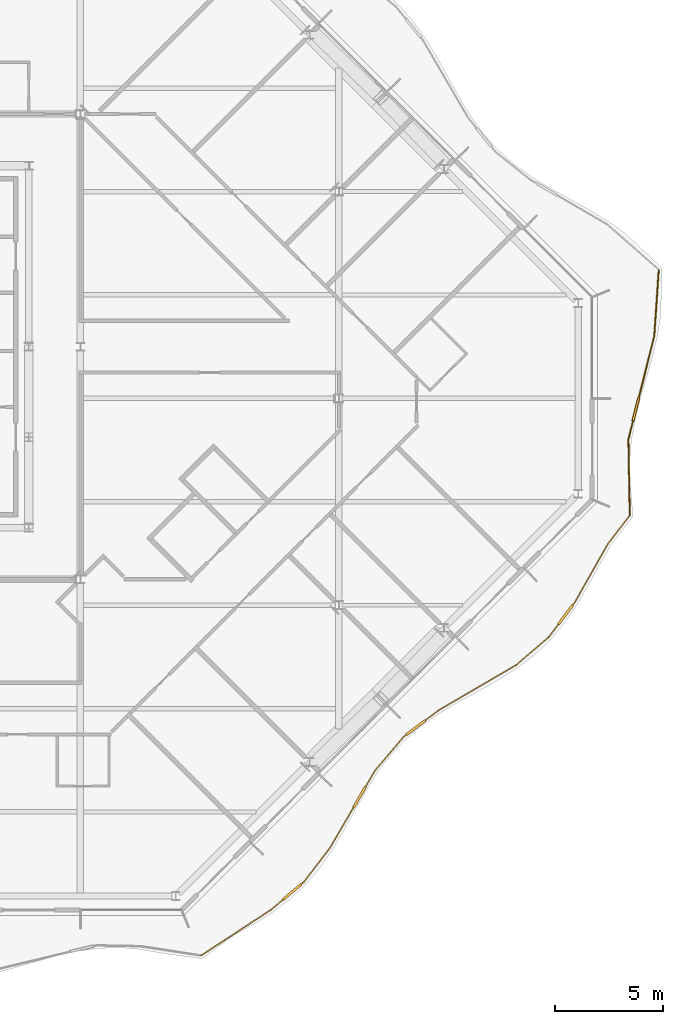
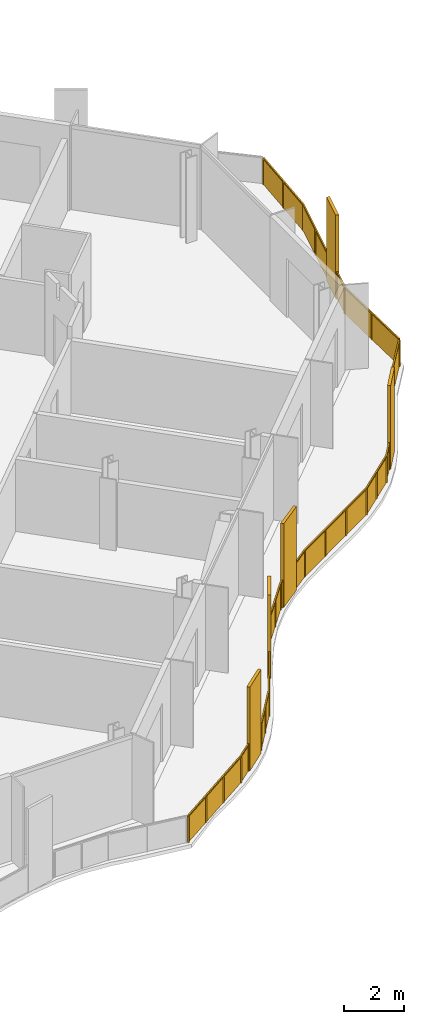
# One storey, part 15 of 17: 2 railings.
"""IFC4 building model written with IfcOpenShell, lengths in metres."""

from ifc_helpers import new_model, si_unit, direction, frame, origin, origin_2d, place, context, subcontext, project, spatial, polyline, rectangle, outline, extrude, material, type_object, element, save


model = new_model("IFC4")

# Units and contexts
model_context = context("Model", 3, precision=1e-05, world=origin(), true_north=direction((0.0, 1.0)))
body_context = subcontext(model_context, "Body", "Model", "MODEL_VIEW")
ifc_project = project(units=[si_unit("LENGTHUNIT", "METRE"), si_unit("AREAUNIT", "SQUARE_METRE"), si_unit("VOLUMEUNIT", "CUBIC_METRE"), si_unit("PLANEANGLEUNIT", "RADIAN"), si_unit("MASSUNIT", "GRAM", prefix="KILO")], contexts=[model_context])

# Site, building, storey
site_placement = place(None, origin())
site = spatial("IfcSite", under=ifc_project, at=site_placement, CompositionType="ELEMENT")
building_placement = place(site_placement, origin())
building = spatial("IfcBuilding", under=site, at=building_placement, Name="Cairn Pilgrim Tower", CompositionType="ELEMENT")
storey_placement = place(building_placement, frame((0.0, 0.0, 243.0)))
storey = spatial("IfcBuildingStorey", under=building, at=storey_placement, Name="L62", CompositionType="ELEMENT", Elevation=243.0)

# Railings
ifc_material = material(Name="Bronze anodised aluminium rail, posts and fin screens with laminated glass infill", Category="aluminium")
railing_type = type_object("IfcRailingType", Name="BALCONY GUARD WITH FIN SCREENS", PredefinedType="GUARDRAIL", material=ifc_material)
railing_1_placement = place(storey_placement, frame((24.802001953125, -25.861328125, 0.0)))
element("IfcRailing", 1, at=railing_1_placement, inside=storey, type_object=railing_type, Name="Balcony guard BGF-1 with fin screens", PredefinedType="GUARDRAIL", context=body_context, shape_type="SweptSolid", body=[
    extrude(rectangle(XDim=0.050048828125, YDim=0.050048828125, at=origin_2d()), frame((0.0, 0.0, 1.0751953125), z_axis=(0.836813982125, 0.5474873143, 0.0), x_axis=(-0.5474873143, 0.836813982125, 0.0)), (0.0, 0.0, 1.0), 3.869873046875),
    extrude(rectangle(XDim=1.10009765625, YDim=0.110107421875, at=origin_2d()), frame((4.22802734375, 2.951171875, 0.0), z_axis=(0.0, 0.0, 1.0), x_axis=(0.765241410495, 0.643743414462, 0.0)), (0.0, 0.0, 1.0), 3.39990234375),
    extrude(rectangle(XDim=0.050048828125, YDim=0.050048828125, at=origin_2d()), frame((3.23828125, 2.11865234375, 1.0751953125), z_axis=(0.765241410495, 0.643743414462, 0.0), x_axis=(-0.643743414462, 0.765241410495, 0.0)), (0.0, 0.0, 1.0), 0.7431640625),
    extrude(rectangle(XDim=0.050048828125, YDim=0.050048828125, at=origin_2d()), frame((4.648681640625, 3.30517578125, 1.0751953125), z_axis=(0.765241410495, 0.643743414462, 0.0), x_axis=(-0.643743414462, 0.765241410495, 0.0)), (0.0, 0.0, 1.0), 0.150146484375),
    extrude(rectangle(XDim=0.050048828125, YDim=0.050048828125, at=origin_2d()), frame((4.763671875, 3.40185546875, 1.0751953125), z_axis=(0.607151512151, 0.794586081739, 0.0), x_axis=(-0.794586081739, 0.607151512151, 0.0)), (0.0, 0.0, 1.0), 2.00341796875),
    extrude(rectangle(XDim=1.10009765625, YDim=0.110107421875, at=origin_2d()), frame((7.353515625, 7.350341796875, 0.0), z_axis=(0.0, 0.0, 1.0), x_axis=(0.503546529714, 0.863968108447, 0.0)), (0.0, 0.0, 1.0), 3.39990234375),
    extrude(rectangle(XDim=0.050048828125, YDim=0.050048828125, at=origin_2d()), frame((5.97998046875, 4.99365234375, 1.0751953125), z_axis=(0.503546529714, 0.863968108447, 0.0), x_axis=(-0.863968108447, 0.503546529714, 0.0)), (0.0, 0.0, 1.0), 2.177978515625),
    extrude(rectangle(XDim=0.050048828125, YDim=0.050048828125, at=origin_2d()), frame((7.630615234375, 7.82568359375, 1.0751953125), z_axis=(0.503546529714, 0.863968108447, 0.0), x_axis=(-0.863968108447, 0.503546529714, 0.0)), (0.0, 0.0, 1.0), 0.885986328125),
    extrude(rectangle(XDim=0.050048828125, YDim=0.050048828125, at=origin_2d()), frame((8.07666015625, 8.591064453125, 1.0751953125), z_axis=(0.64749613489, 0.762068733975, 0.0), x_axis=(-0.762068733975, 0.64749613489, 0.0)), (0.0, 0.0, 1.0), 2.0478515625),
    extrude(rectangle(XDim=1.10009765625, YDim=0.110107421875, at=origin_2d()), frame((9.960693359375, 10.57421875, 0.0), z_axis=(0.0, 0.0, 1.0), x_axis=(0.797183939846, 0.603736503825, 0.0)), (0.0, 0.0, 1.0), 3.39990234375),
    extrude(rectangle(XDim=0.050048828125, YDim=0.050048828125, at=origin_2d()), frame((9.402587890625, 10.151611328125, 1.0751953125), z_axis=(0.797183939846, 0.603736503825, 0.0), x_axis=(-0.603736503825, 0.797183939846, 0.0)), (0.0, 0.0, 1.0), 0.14990234375),
    extrude(rectangle(XDim=0.050048828125, YDim=0.050048828125, at=origin_2d()), frame((10.39892578125, 10.90625, 1.0751953125), z_axis=(0.797183939846, 0.603736503825, 0.0), x_axis=(-0.603736503825, 0.797183939846, 0.0)), (0.0, 0.0, 1.0), 0.805908203125),
    extrude(rectangle(XDim=0.050048828125, YDim=0.050048828125, at=origin_2d()), frame((11.04150390625, 11.392822265625, 1.0751953125), z_axis=(0.863712826562, 0.503984278755, 0.0), x_axis=(-0.503984278755, 0.863712826562, 0.0)), (0.0, 0.0, 1.0), 4.15478515625),
    extrude(rectangle(XDim=0.050048828125, YDim=0.050048828125, at=origin_2d()), frame((14.630126953125, 13.48681640625, 1.0751953125), z_axis=(0.75897903258, 0.651115065179, 0.0), x_axis=(-0.651115065179, 0.75897903258, 0.0)), (0.0, 0.0, 1.0), 1.9873046875),
    extrude(rectangle(XDim=1.10009765625, YDim=0.110107421875, at=origin_2d()), frame((16.922119140625, 15.824951171875, 0.0), z_axis=(0.0, 0.0, 1.0), x_axis=(0.600194771592, 0.799853884252, 0.0)), (0.0, 0.0, 1.0), 3.39990234375),
    extrude(rectangle(XDim=0.050048828125, YDim=0.050048828125, at=origin_2d()), frame((16.138427734375, 14.78076171875, 1.0751953125), z_axis=(0.600194771592, 0.799853884252, 0.0), x_axis=(-0.799853884252, 0.600194771592, 0.0)), (0.0, 0.0, 1.0), 0.755615234375),
    extrude(rectangle(XDim=0.050048828125, YDim=0.050048828125, at=origin_2d()), frame((17.252197265625, 16.264892578125, 1.0751953125), z_axis=(0.600194771592, 0.799853884252, 0.0), x_axis=(-0.799853884252, 0.600194771592, 0.0)), (0.0, 0.0, 1.0), 0.14990234375),
    extrude(rectangle(XDim=0.050048828125, YDim=0.050048828125, at=origin_2d()), frame((17.342041015625, 16.384765625, 1.0751953125), z_axis=(0.492617157518, 0.870246135366, 0.0), x_axis=(-0.870246135366, 0.492617157518, 0.0)), (0.0, 0.0, 1.0), 3.131591796875),
    extrude(rectangle(XDim=0.050048828125, YDim=0.050048828125, at=origin_2d()), frame((18.884765625, 19.110107421875, 1.0751953125), z_axis=(0.609997930091, 0.792403006863, 0.0), x_axis=(-0.792403006863, 0.609997930091, 0.0)), (0.0, 0.0, 1.0), 1.60205078125),
    extrude(rectangle(XDim=0.050048828125, YDim=0.050048828125, at=origin_2d()), origin(), (0.0, 0.0, 1.0), 1.050048828125),
    extrude(rectangle(XDim=0.050048828125, YDim=0.050048828125, at=origin_2d()), frame((1.079345703125, 0.706298828125, 0.0)), (0.0, 0.0, 1.0), 1.050048828125),
    extrude(rectangle(XDim=0.050048828125, YDim=0.050048828125, at=origin_2d()), frame((2.158935546875, 1.412353515625, 0.0)), (0.0, 0.0, 1.0), 1.050048828125),
    extrude(rectangle(XDim=0.050048828125, YDim=0.050048828125, at=origin_2d()), frame((3.23828125, 2.11865234375, 0.0)), (0.0, 0.0, 1.0), 1.050048828125),
    extrude(rectangle(XDim=0.050048828125, YDim=0.050048828125, at=origin_2d()), frame((3.787841796875, 2.5810546875, 0.0)), (0.0, 0.0, 1.0), 1.050048828125),
    extrude(rectangle(XDim=0.050048828125, YDim=0.050048828125, at=origin_2d()), frame((4.66796875, 3.3212890625, 0.0)), (0.0, 0.0, 1.0), 1.050048828125),
    extrude(rectangle(XDim=0.050048828125, YDim=0.050048828125, at=origin_2d()), frame((4.763671875, 3.40185546875, 0.0)), (0.0, 0.0, 1.0), 1.050048828125),
    extrude(rectangle(XDim=0.050048828125, YDim=0.050048828125, at=origin_2d()), frame((5.371826171875, 4.19775390625, 0.0)), (0.0, 0.0, 1.0), 1.050048828125),
    extrude(rectangle(XDim=0.050048828125, YDim=0.050048828125, at=origin_2d()), frame((5.97998046875, 4.99365234375, 0.0)), (0.0, 0.0, 1.0), 1.050048828125),
    extrude(rectangle(XDim=0.050048828125, YDim=0.050048828125, at=origin_2d()), frame((6.52197265625, 5.923583984375, 0.0)), (0.0, 0.0, 1.0), 1.050048828125),
    extrude(rectangle(XDim=0.050048828125, YDim=0.050048828125, at=origin_2d()), frame((7.06396484375, 6.853759765625, 0.0)), (0.0, 0.0, 1.0), 1.050048828125),
    extrude(rectangle(XDim=0.050048828125, YDim=0.050048828125, at=origin_2d()), frame((7.64306640625, 7.84716796875, 0.0)), (0.0, 0.0, 1.0), 1.050048828125),
    extrude(rectangle(XDim=0.050048828125, YDim=0.050048828125, at=origin_2d()), frame((8.07666015625, 8.591064453125, 0.0)), (0.0, 0.0, 1.0), 1.050048828125),
    extrude(rectangle(XDim=0.050048828125, YDim=0.050048828125, at=origin_2d()), frame((8.73974609375, 9.371337890625, 0.0)), (0.0, 0.0, 1.0), 1.050048828125),
    extrude(rectangle(XDim=0.050048828125, YDim=0.050048828125, at=origin_2d()), frame((9.402587890625, 10.151611328125, 0.0)), (0.0, 0.0, 1.0), 1.050048828125),
    extrude(rectangle(XDim=0.050048828125, YDim=0.050048828125, at=origin_2d()), frame((9.502197265625, 10.22705078125, 0.0)), (0.0, 0.0, 1.0), 1.050048828125),
    extrude(rectangle(XDim=0.050048828125, YDim=0.050048828125, at=origin_2d()), frame((10.4189453125, 10.92138671875, 0.0)), (0.0, 0.0, 1.0), 1.050048828125),
    extrude(rectangle(XDim=0.050048828125, YDim=0.050048828125, at=origin_2d()), frame((11.04150390625, 11.392822265625, 0.0)), (0.0, 0.0, 1.0), 1.050048828125),
    extrude(rectangle(XDim=0.050048828125, YDim=0.050048828125, at=origin_2d()), frame((12.23779296875, 12.0908203125, 0.0)), (0.0, 0.0, 1.0), 1.050048828125),
    extrude(rectangle(XDim=0.050048828125, YDim=0.050048828125, at=origin_2d()), frame((13.433837890625, 12.788818359375, 0.0)), (0.0, 0.0, 1.0), 1.050048828125),
    extrude(rectangle(XDim=0.050048828125, YDim=0.050048828125, at=origin_2d()), frame((14.630126953125, 13.48681640625, 0.0)), (0.0, 0.0, 1.0), 1.050048828125),
    extrude(rectangle(XDim=0.050048828125, YDim=0.050048828125, at=origin_2d()), frame((15.38427734375, 14.1337890625, 0.0)), (0.0, 0.0, 1.0), 1.050048828125),
    extrude(rectangle(XDim=0.050048828125, YDim=0.050048828125, at=origin_2d()), frame((16.138427734375, 14.78076171875, 0.0)), (0.0, 0.0, 1.0), 1.050048828125),
    extrude(rectangle(XDim=0.050048828125, YDim=0.050048828125, at=origin_2d()), frame((16.576904296875, 15.364990234375, 0.0)), (0.0, 0.0, 1.0), 1.050048828125),
    extrude(rectangle(XDim=0.050048828125, YDim=0.050048828125, at=origin_2d()), frame((17.26708984375, 16.284912109375, 0.0)), (0.0, 0.0, 1.0), 1.050048828125),
    extrude(rectangle(XDim=0.050048828125, YDim=0.050048828125, at=origin_2d()), frame((17.342041015625, 16.384765625, 0.0)), (0.0, 0.0, 1.0), 1.050048828125),
    extrude(rectangle(XDim=0.050048828125, YDim=0.050048828125, at=origin_2d()), frame((18.11328125, 17.74755859375, 0.0)), (0.0, 0.0, 1.0), 1.050048828125),
    extrude(rectangle(XDim=0.050048828125, YDim=0.050048828125, at=origin_2d()), frame((18.884765625, 19.110107421875, 0.0)), (0.0, 0.0, 1.0), 1.050048828125),
    extrude(rectangle(XDim=0.050048828125, YDim=0.050048828125, at=origin_2d()), frame((19.862060546875, 20.379638671875, 0.0)), (0.0, 0.0, 1.0), 1.050048828125),
    extrude(outline(polyline([(0.02490234375, 0.0), (1.264892578125, 0.0), (1.264892578125, 1.050048828125), (0.02490234375, 1.050048828125), (0.02490234375, 0.0)])), frame((-0.003173828125, 0.005126953125, 0.0), z_axis=(0.5474873143, -0.836813982125, 0.0), x_axis=(0.836813982125, 0.5474873143, 0.0)), (0.0, 0.0, 1.0), 0.011962890625),
    extrude(outline(polyline([(0.02490234375, 0.0), (1.264892578125, 0.0), (1.264892578125, 1.050048828125), (0.02490234375, 1.050048828125), (0.02490234375, 0.0)])), frame((1.076171875, 0.711181640625, 0.0), z_axis=(0.5474873143, -0.836813982125, 0.0), x_axis=(0.836813982125, 0.5474873143, 0.0)), (0.0, 0.0, 1.0), 0.011962890625),
    extrude(outline(polyline([(0.02490234375, 0.0), (1.264892578125, 0.0), (1.264892578125, 1.050048828125), (0.02490234375, 1.050048828125), (0.02490234375, 0.0)])), frame((2.155517578125, 1.41748046875, 0.0), z_axis=(0.5474873143, -0.836813982125, 0.0), x_axis=(0.836813982125, 0.5474873143, 0.0)), (0.0, 0.0, 1.0), 0.011962890625),
    extrude(outline(polyline([(0.02490234375, 0.0), (0.693115234375, 0.0), (0.693115234375, 1.050048828125), (0.02490234375, 1.050048828125), (0.02490234375, 0.0)])), frame((3.234375, 2.123291015625, 0.0), z_axis=(0.643743414462, -0.765241410495, 0.0), x_axis=(0.765241410495, 0.643743414462, 0.0)), (0.0, 0.0, 1.0), 0.011962890625),
    extrude(outline(polyline([(0.02490234375, 0.0), (0.10009765625, 0.0), (0.10009765625, 1.050048828125), (0.02490234375, 1.050048828125), (0.02490234375, 0.0)])), frame((4.6640625, 3.325927734375, 0.0), z_axis=(0.643743414462, -0.765241410495, 0.0), x_axis=(0.765241410495, 0.643743414462, 0.0)), (0.0, 0.0, 1.0), 0.011962890625),
    extrude(outline(polyline([(0.02490234375, 0.0), (0.9765625, 0.0), (0.9765625, 1.050048828125), (0.02490234375, 1.050048828125), (0.02490234375, 0.0)])), frame((4.759033203125, 3.405517578125, 0.0), z_axis=(0.794586081739, -0.607151512151, 0.0), x_axis=(0.607151512151, 0.794586081739, 0.0)), (0.0, 0.0, 1.0), 0.011962890625),
    extrude(outline(polyline([(0.02490234375, 0.0), (0.9765625, 0.0), (0.9765625, 1.050048828125), (0.02490234375, 1.050048828125), (0.02490234375, 0.0)])), frame((5.3671875, 4.201416015625, 0.0), z_axis=(0.794586081739, -0.607151512151, 0.0), x_axis=(0.607151512151, 0.794586081739, 0.0)), (0.0, 0.0, 1.0), 0.011962890625),
    extrude(outline(polyline([(0.02490234375, 0.0), (1.051513671875, 0.0), (1.051513671875, 1.050048828125), (0.02490234375, 1.050048828125), (0.02490234375, 0.0)])), frame((5.974853515625, 4.99658203125, 0.0), z_axis=(0.863968108447, -0.503546529714, 0.0), x_axis=(0.503546529714, 0.863968108447, 0.0)), (0.0, 0.0, 1.0), 0.011962890625),
    extrude(outline(polyline([(0.02490234375, 0.0), (1.051513671875, 0.0), (1.051513671875, 1.050048828125), (0.02490234375, 1.050048828125), (0.02490234375, 0.0)])), frame((6.516845703125, 5.9267578125, 0.0), z_axis=(0.863968108447, -0.503546529714, 0.0), x_axis=(0.503546529714, 0.863968108447, 0.0)), (0.0, 0.0, 1.0), 0.011962890625),
    extrude(outline(polyline([(0.02490234375, 0.0), (0.8359375, 0.0), (0.8359375, 1.050048828125), (0.02490234375, 1.050048828125), (0.02490234375, 0.0)])), frame((7.637939453125, 7.850341796875, 0.0), z_axis=(0.863968108447, -0.503546529714, 0.0), x_axis=(0.503546529714, 0.863968108447, 0.0)), (0.0, 0.0, 1.0), 0.011962890625),
    extrude(outline(polyline([(0.02490234375, 0.0), (0.998779296875, 0.0), (0.998779296875, 1.050048828125), (0.02490234375, 1.050048828125), (0.02490234375, 0.0)])), frame((8.072021484375, 8.594970703125, 0.0), z_axis=(0.762068733975, -0.64749613489, 0.0), x_axis=(0.64749613489, 0.762068733975, 0.0)), (0.0, 0.0, 1.0), 0.011962890625),
    extrude(outline(polyline([(0.02490234375, 0.0), (0.998779296875, 0.0), (0.998779296875, 1.050048828125), (0.02490234375, 1.050048828125), (0.02490234375, 0.0)])), frame((8.735107421875, 9.375244140625, 0.0), z_axis=(0.762068733975, -0.64749613489, 0.0), x_axis=(0.64749613489, 0.762068733975, 0.0)), (0.0, 0.0, 1.0), 0.011962890625),
    extrude(outline(polyline([(0.02490234375, 0.0), (0.099853515625, 0.0), (0.099853515625, 1.050048828125), (0.02490234375, 1.050048828125), (0.02490234375, 0.0)])), frame((9.39892578125, 10.156494140625, 0.0), z_axis=(0.603736503825, -0.797183939846, 0.0), x_axis=(0.797183939846, 0.603736503825, 0.0)), (0.0, 0.0, 1.0), 0.011962890625),
    extrude(outline(polyline([(0.02490234375, 0.0), (0.755859375, 0.0), (0.755859375, 1.050048828125), (0.02490234375, 1.050048828125), (0.02490234375, 0.0)])), frame((10.415283203125, 10.926025390625, 0.0), z_axis=(0.603736503825, -0.797183939846, 0.0), x_axis=(0.797183939846, 0.603736503825, 0.0)), (0.0, 0.0, 1.0), 0.011962890625),
    extrude(outline(polyline([(0.02490234375, 0.0), (1.35986328125, 0.0), (1.35986328125, 1.050048828125), (0.02490234375, 1.050048828125), (0.02490234375, 0.0)])), frame((11.03857421875, 11.39794921875, 0.0), z_axis=(0.503984278755, -0.863712826562, 0.0), x_axis=(0.863712826562, 0.503984278755, 0.0)), (0.0, 0.0, 1.0), 0.011962890625),
    extrude(outline(polyline([(0.02490234375, 0.0), (1.35986328125, 0.0), (1.35986328125, 1.050048828125), (0.02490234375, 1.050048828125), (0.02490234375, 0.0)])), frame((12.234619140625, 12.095947265625, 0.0), z_axis=(0.503984278755, -0.863712826562, 0.0), x_axis=(0.863712826562, 0.503984278755, 0.0)), (0.0, 0.0, 1.0), 0.011962890625),
    extrude(outline(polyline([(0.02490234375, 0.0), (1.35986328125, 0.0), (1.35986328125, 1.050048828125), (0.02490234375, 1.050048828125), (0.02490234375, 0.0)])), frame((13.430908203125, 12.7939453125, 0.0), z_axis=(0.503984278755, -0.863712826562, 0.0), x_axis=(0.863712826562, 0.503984278755, 0.0)), (0.0, 0.0, 1.0), 0.011962890625),
    extrude(outline(polyline([(0.02490234375, 0.0), (0.968505859375, 0.0), (0.968505859375, 1.050048828125), (0.02490234375, 1.050048828125), (0.02490234375, 0.0)])), frame((14.626220703125, 13.491455078125, 0.0), z_axis=(0.651115065179, -0.75897903258, 0.0), x_axis=(0.75897903258, 0.651115065179, 0.0)), (0.0, 0.0, 1.0), 0.011962890625),
    extrude(outline(polyline([(0.02490234375, 0.0), (0.968505859375, 0.0), (0.968505859375, 1.050048828125), (0.02490234375, 1.050048828125), (0.02490234375, 0.0)])), frame((15.38037109375, 14.138427734375, 0.0), z_axis=(0.651115065179, -0.75897903258, 0.0), x_axis=(0.75897903258, 0.651115065179, 0.0)), (0.0, 0.0, 1.0), 0.011962890625),
    extrude(outline(polyline([(0.02490234375, 0.0), (0.70556640625, 0.0), (0.70556640625, 1.050048828125), (0.02490234375, 1.050048828125), (0.02490234375, 0.0)])), frame((16.133544921875, 14.784423828125, 0.0), z_axis=(0.799853884252, -0.600194771592, 0.0), x_axis=(0.600194771592, 0.799853884252, 0.0)), (0.0, 0.0, 1.0), 0.011962890625),
    extrude(outline(polyline([(0.02490234375, 0.0), (0.099853515625, 0.0), (0.099853515625, 1.050048828125), (0.02490234375, 1.050048828125), (0.02490234375, 0.0)])), frame((17.262451171875, 16.28857421875, 0.0), z_axis=(0.799853884252, -0.600194771592, 0.0), x_axis=(0.600194771592, 0.799853884252, 0.0)), (0.0, 0.0, 1.0), 0.011962890625),
    extrude(outline(polyline([(0.02490234375, 0.0), (1.540771484375, 0.0), (1.540771484375, 1.050048828125), (0.02490234375, 1.050048828125), (0.02490234375, 0.0)])), frame((17.3369140625, 16.3876953125, 0.0), z_axis=(0.870246135366, -0.492617157518, 0.0), x_axis=(0.492617157518, 0.870246135366, 0.0)), (0.0, 0.0, 1.0), 0.011962890625),
    extrude(outline(polyline([(0.02490234375, 0.0), (1.540771484375, 0.0), (1.540771484375, 1.050048828125), (0.02490234375, 1.050048828125), (0.02490234375, 0.0)])), frame((18.108154296875, 17.75048828125, 0.0), z_axis=(0.870246135366, -0.492617157518, 0.0), x_axis=(0.492617157518, 0.870246135366, 0.0)), (0.0, 0.0, 1.0), 0.011962890625),
    extrude(outline(polyline([(0.02490234375, 0.0), (1.5771484375, 0.0), (1.5771484375, 1.050048828125), (0.02490234375, 1.050048828125), (0.02490234375, 0.0)])), frame((18.880126953125, 19.11376953125, 0.0), z_axis=(0.792403006863, -0.609997930091, 0.0), x_axis=(0.609997930091, 0.792403006863, 0.0)), (0.0, 0.0, 1.0), 0.011962890625),
])
railing_2_placement = place(storey_placement, frame((44.700439453125, -5.434326171875, 0.0)))
element("IfcRailing", 2, at=railing_2_placement, inside=storey, type_object=railing_type, Name="Balcony guard BGF-2 with fin screens", PredefinedType="GUARDRAIL", context=body_context, shape_type="SweptSolid", body=[
    extrude(rectangle(XDim=0.050048828125, YDim=0.050048828125, at=origin_2d()), frame((0.0, 0.0, 1.0751953125), z_axis=(-0.01831700939, 0.99983222951, 0.0), x_axis=(-0.99983222951, -0.01831700939, 0.0)), (0.0, 0.0, 1.0), 3.531982421875),
    extrude(rectangle(XDim=1.10009765625, YDim=0.110107421875, at=origin_2d()), frame((0.283935546875, 4.92529296875, 0.0), z_axis=(0.0, 0.0, 1.0), x_axis=(0.24274432702, 0.970090300796, 0.0)), (0.0, 0.0, 1.0), 3.39990234375),
    extrude(rectangle(XDim=0.050048828125, YDim=0.050048828125, at=origin_2d()), frame((-0.064697265625, 3.531494140625, 1.0751953125), z_axis=(0.24274432702, 0.970090300796, 0.0), x_axis=(-0.970090300796, 0.24274432702, 0.0)), (0.0, 0.0, 1.0), 0.88671875),
    extrude(rectangle(XDim=0.050048828125, YDim=0.050048828125, at=origin_2d()), frame((0.41748046875, 5.458740234375, 1.0751953125), z_axis=(0.24274432702, 0.970090300796, 0.0), x_axis=(-0.970090300796, 0.24274432702, 0.0)), (0.0, 0.0, 1.0), 2.967529296875),
    extrude(rectangle(XDim=0.050048828125, YDim=0.050048828125, at=origin_2d()), frame((1.137939453125, 8.337646484375, 1.0751953125), z_axis=(0.067124817919, 0.997744585963, 0.0), x_axis=(-0.997744585963, 0.067124817919, 0.0)), (0.0, 0.0, 1.0), 3.0224609375),
    extrude(rectangle(XDim=0.050048828125, YDim=0.050048828125, at=origin_2d()), origin(), (0.0, 0.0, 1.0), 1.050048828125),
    extrude(rectangle(XDim=0.050048828125, YDim=0.050048828125, at=origin_2d()), frame((-0.0322265625, 1.765625, 0.0)), (0.0, 0.0, 1.0), 1.050048828125),
    extrude(rectangle(XDim=0.050048828125, YDim=0.050048828125, at=origin_2d()), frame((-0.064697265625, 3.531494140625, 0.0)), (0.0, 0.0, 1.0), 1.050048828125),
    extrude(rectangle(XDim=0.050048828125, YDim=0.050048828125, at=origin_2d()), frame((0.14453125, 4.367431640625, 0.0)), (0.0, 0.0, 1.0), 1.050048828125),
    extrude(rectangle(XDim=0.050048828125, YDim=0.050048828125, at=origin_2d()), frame((0.423583984375, 5.483154296875, 0.0)), (0.0, 0.0, 1.0), 1.050048828125),
    extrude(rectangle(XDim=0.050048828125, YDim=0.050048828125, at=origin_2d()), frame((0.78076171875, 6.910400390625, 0.0)), (0.0, 0.0, 1.0), 1.050048828125),
    extrude(rectangle(XDim=0.050048828125, YDim=0.050048828125, at=origin_2d()), frame((1.137939453125, 8.337646484375, 0.0)), (0.0, 0.0, 1.0), 1.050048828125),
    extrude(rectangle(XDim=0.050048828125, YDim=0.050048828125, at=origin_2d()), frame((1.2392578125, 9.845458984375, 0.0)), (0.0, 0.0, 1.0), 1.050048828125),
    extrude(rectangle(XDim=0.050048828125, YDim=0.050048828125, at=origin_2d()), frame((1.3408203125, 11.353271484375, 0.0)), (0.0, 0.0, 1.0), 1.050048828125),
    extrude(outline(polyline([(0.02490234375, 0.0), (1.740966796875, 0.0), (1.740966796875, 1.050048828125), (0.02490234375, 1.050048828125), (0.02490234375, 0.0)])), frame((-0.005859375, 0.0, 0.0), z_axis=(0.99983222951, 0.01831700939, 0.0), x_axis=(-0.01831700939, 0.99983222951, 0.0)), (0.0, 0.0, 1.0), 0.011962890625),
    extrude(outline(polyline([(0.02490234375, 0.0), (1.740966796875, 0.0), (1.740966796875, 1.050048828125), (0.02490234375, 1.050048828125), (0.02490234375, 0.0)])), frame((-0.038330078125, 1.765625, 0.0), z_axis=(0.99983222951, 0.01831700939, 0.0), x_axis=(-0.01831700939, 0.99983222951, 0.0)), (0.0, 0.0, 1.0), 0.011962890625),
    extrude(outline(polyline([(0.02490234375, 0.0), (0.836669921875, 0.0), (0.836669921875, 1.050048828125), (0.02490234375, 1.050048828125), (0.02490234375, 0.0)])), frame((-0.070556640625, 3.532958984375, 0.0), z_axis=(0.970090300796, -0.24274432702, 0.0), x_axis=(0.24274432702, 0.970090300796, 0.0)), (0.0, 0.0, 1.0), 0.011962890625),
    extrude(outline(polyline([(0.02490234375, 0.0), (1.4462890625, 0.0), (1.4462890625, 1.050048828125), (0.02490234375, 1.050048828125), (0.02490234375, 0.0)])), frame((0.417724609375, 5.484619140625, 0.0), z_axis=(0.970090300796, -0.24274432702, 0.0), x_axis=(0.24274432702, 0.970090300796, 0.0)), (0.0, 0.0, 1.0), 0.011962890625),
    extrude(outline(polyline([(0.02490234375, 0.0), (1.4462890625, 0.0), (1.4462890625, 1.050048828125), (0.02490234375, 1.050048828125), (0.02490234375, 0.0)])), frame((0.77490234375, 6.911865234375, 0.0), z_axis=(0.970090300796, -0.24274432702, 0.0), x_axis=(0.24274432702, 0.970090300796, 0.0)), (0.0, 0.0, 1.0), 0.011962890625),
    extrude(outline(polyline([(0.02490234375, 0.0), (1.486083984375, 0.0), (1.486083984375, 1.050048828125), (0.02490234375, 1.050048828125), (0.02490234375, 0.0)])), frame((1.132080078125, 8.338134765625, 0.0), z_axis=(0.997744585963, -0.067124817919, 0.0), x_axis=(0.067124817919, 0.997744585963, 0.0)), (0.0, 0.0, 1.0), 0.011962890625),
    extrude(outline(polyline([(0.02490234375, 0.0), (1.486083984375, 0.0), (1.486083984375, 1.050048828125), (0.02490234375, 1.050048828125), (0.02490234375, 0.0)])), frame((1.2333984375, 9.845947265625, 0.0), z_axis=(0.997744585963, -0.067124817919, 0.0), x_axis=(0.067124817919, 0.997744585963, 0.0)), (0.0, 0.0, 1.0), 0.011962890625),
])

save(model, "model.ifc")
